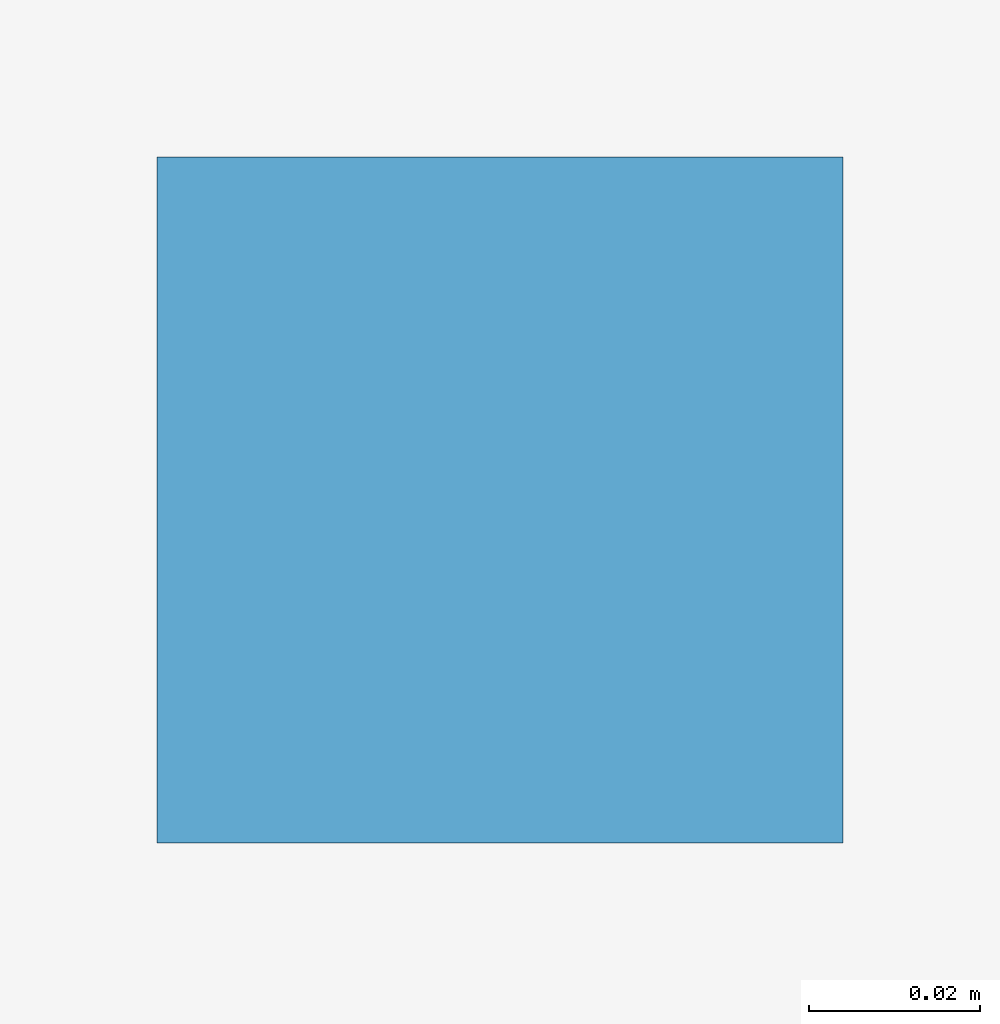
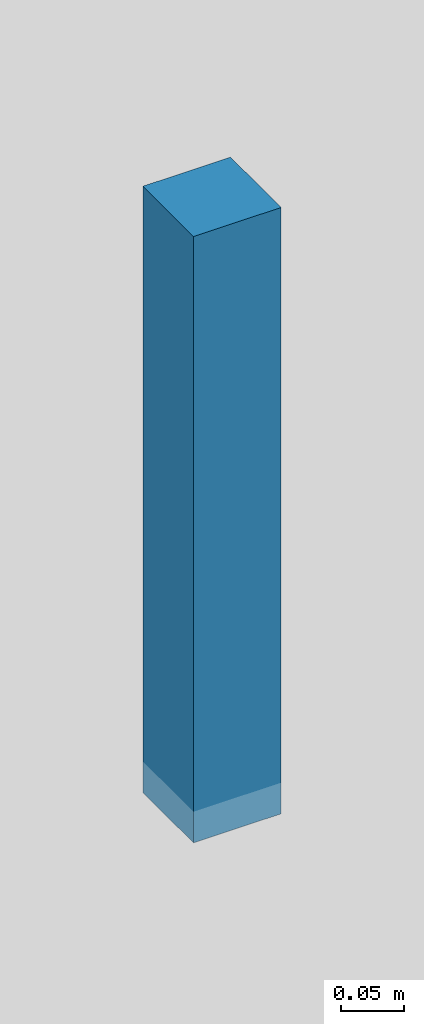
# One storey, part 11 of 15: 1 discrete accessory.
"""IFC4 building model written with IfcOpenShell, lengths in metres."""

from ifc_helpers import new_model, si_unit, direction, frame, origin, origin_2d, place, context, subcontext, project, spatial, rectangle, extrude, source, transform, mapped, material, type_object, element, save


model = new_model("IFC4")

# Units and contexts
model_context = context("Model", 3, precision=1e-05, world=origin(), true_north=direction((0.0, 1.0)))
body_context = subcontext(model_context, "Body", "Model", "MODEL_VIEW")
ifc_project = project(units=[si_unit("LENGTHUNIT", "METRE"), si_unit("AREAUNIT", "SQUARE_METRE"), si_unit("VOLUMEUNIT", "CUBIC_METRE"), si_unit("PLANEANGLEUNIT", "RADIAN"), si_unit("MASSUNIT", "GRAM", prefix="KILO")], contexts=[model_context])

# Site, building, storey
site_placement = place(None, origin())
site = spatial("IfcSite", under=ifc_project, at=site_placement, CompositionType="ELEMENT")
building_placement = place(site_placement, origin())
building = spatial("IfcBuilding", under=site, at=building_placement, Name="Giltprow Tower", CompositionType="ELEMENT")
storey_placement = place(building_placement, frame((0.0, 0.0, 293.800048828125)))
storey = spatial("IfcBuildingStorey", under=building, at=storey_placement, Name="L75", CompositionType="ELEMENT", Elevation=293.800048828125)

# Discrete accessory
ifc_material = material(Name="Structural steel Q355B", Category="steel")
discrete_accessory_type = type_object("IfcDiscreteAccessoryType", Name="ACC-CLG-HANGER", PredefinedType="BRACKET", material=ifc_material)
shared_shape = source(origin(), body_context, "Body", "SweptSolid", [
    extrude(rectangle(XDim=0.080078125, YDim=0.080078125, at=origin_2d()), origin(), (0.0, 0.0, 1.0), 0.5849609375),
])
discrete_accessory_placement = place(storey_placement, frame((35.0, 35.77490234375, 2.619384765625), z_axis=(0.0, 0.0, 1.0), x_axis=(1.0, 0.0, 0.0)))
element("IfcDiscreteAccessory", 1, at=discrete_accessory_placement, inside=storey, type_object=discrete_accessory_type, Name="L75 Residence Gallery Ceiling Suspension Hanger", PredefinedType="BRACKET", context=body_context, shape_type="MappedRepresentation", body=[
    mapped(shared_shape, transform((0.0, 0.0, 0.0), x_axis=(1.0, 0.0, 0.0), y_axis=(0.0, 1.0, 0.0), z_axis=(0.0, 0.0, 1.0), scale=1.0)),
])

save(model, "model.ifc")
